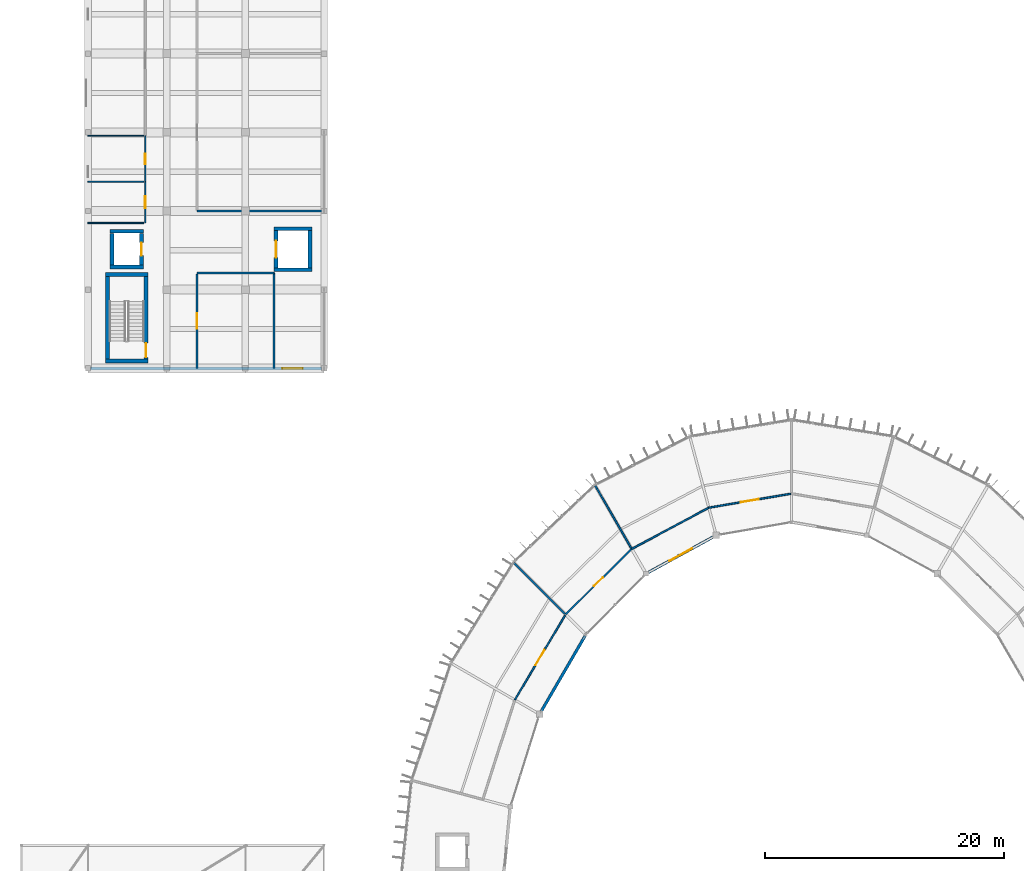
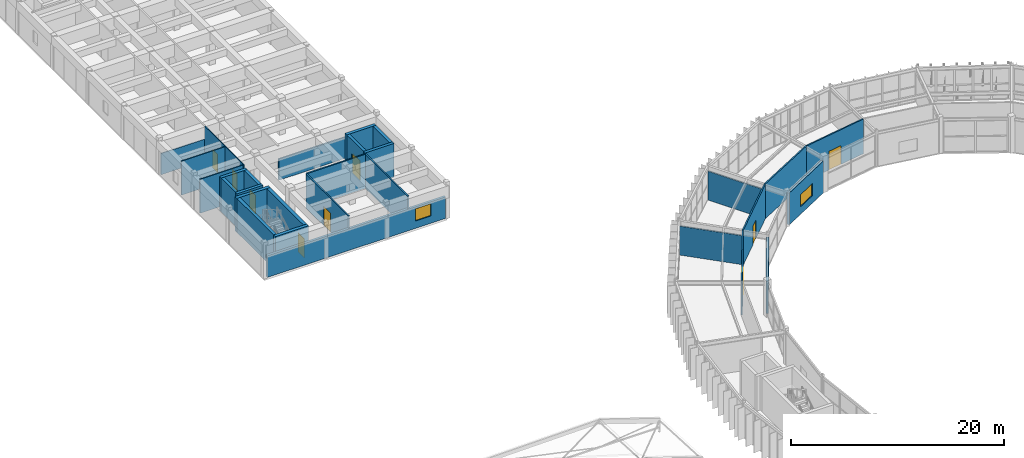
# One storey, part 119 of 134: 30 walls, 9 doors, 2 windows, 11 openings.
"""IFC4 building model written with IfcOpenShell, lengths in metres."""

from ifc_helpers import new_model, si_unit, direction, frame, frame_2d, origin, place, context, subcontext, project, spatial, rectangle, extrude, material, layer, layer_set, type_object, element, fill, save


model = new_model("IFC4")

# Units and contexts
model_context = context("Model", 3, precision=1e-05, world=origin(), true_north=direction((0.0, 1.0)))
body_context = subcontext(model_context, "Body", "Model", "MODEL_VIEW")
ifc_project = project(units=[si_unit("LENGTHUNIT", "METRE"), si_unit("AREAUNIT", "SQUARE_METRE"), si_unit("VOLUMEUNIT", "CUBIC_METRE"), si_unit("PLANEANGLEUNIT", "RADIAN"), si_unit("MASSUNIT", "GRAM", prefix="KILO")], contexts=[model_context])

# Site, building, storey
site_placement = place(None, origin())
site = spatial("IfcSite", under=ifc_project, at=site_placement, CompositionType="ELEMENT")
building_placement = place(site_placement, origin())
building = spatial("IfcBuilding", under=site, at=building_placement, Name="Karori Crest Natural Sciences Institute", CompositionType="ELEMENT")
storey_placement = place(building_placement, frame((0.0, 0.0, 21.699951171875)))
storey = spatial("IfcBuildingStorey", under=building, at=storey_placement, Name="L05", CompositionType="ELEMENT", Elevation=21.699951171875)

# Walls
ifc_material_1 = material(Name="Concrete 50 MPa", Category="concrete")
ifc_layer_1 = layer(ifc_material_1, 0.35009765625, Name="Concrete 50 MPa")
ifc_layer_set_1 = layer_set([ifc_layer_1], Name="Concrete 50 MPa")
wall_type_1 = type_object("IfcWallType", Name="IWT-02", PredefinedType="SHEAR", material=ifc_layer_set_1)
for number, where, z_axis, x_axis, name in (
    (1, (8.85009765625, 95.625, 0.0), (0.0, 0.0, 1.0), (1.0, 0.0, 0.0), "Shear wall IW-0189"),
    (2, (8.85009765625, 102.875, 0.0), (0.0, 0.0, 1.0), (1.0, 0.0, 0.0), "Shear wall IW-0190"),
):
    element("IfcWall", number, at=place(storey_placement, frame(where, z_axis=z_axis, x_axis=x_axis)), inside=storey, type_object=wall_type_1, Name=name, PredefinedType="SHEAR", context=body_context, shape_type="SweptSolid", body=[
        extrude(rectangle(XDim=3.599853515625, YDim=0.35009765625, at=frame_2d((1.7998046875, 0.0))), origin(), (0.0, 0.0, 1.0), 3.900146484375),
    ])
wall_1_placement = place(storey_placement, frame((9.02490234375, 95.802001953125, 0.0), z_axis=(0.0, 0.0, 1.0), x_axis=(0.0, 1.0, 0.0)))
element("IfcWall", 3, at=wall_1_placement, inside=storey, type_object=wall_type_1, Name="Shear wall IW-0191", PredefinedType="SHEAR", context=body_context, shape_type="SweptSolid", body=[
    extrude(rectangle(XDim=6.89599609375, YDim=0.35009765625, at=frame_2d((3.447998046875, 0.0))), origin(), (0.0, 0.0, 1.0), 3.900146484375),
])

# Wall, opening, door
wall_2_placement = place(storey_placement, frame((12.27490234375, 95.802001953125, 0.0), z_axis=(0.0, 0.0, 1.0), x_axis=(0.0, 1.0, 0.0)))
wall_2 = element("IfcWall", 4, at=wall_2_placement, inside=storey, type_object=wall_type_1, Name="Shear wall IW-0192", PredefinedType="SHEAR", context=body_context, shape_type="SweptSolid", body=[
    extrude(rectangle(XDim=6.89599609375, YDim=0.35009765625, at=frame_2d((3.447998046875, 0.0))), origin(), (0.0, 0.0, 1.0), 3.900146484375),
])
opening_1_placement = place(wall_2_placement, frame((0.1201171875, 0.0, 0.0)))
opening_1 = element("IfcOpeningElement", 5, at=opening_1_placement, cuts=wall_2, Name="Opening ID-0048", PredefinedType="OPENING", context=body_context, shape_type="SweptSolid", body=[
    extrude(rectangle(XDim=1.199951171875, YDim=2.14990234375, at=frame_2d((0.60009765625, 1.074951171875))), frame((0.0, 0.18505859375, 0.0), z_axis=(0.0, -1.0, 0.0), x_axis=(1.0, 0.0, 0.0)), (0.0, 0.0, 1.0), 0.3701171875),
])
ifc_material_2 = material(Name="Stainless steel 316 and fire-rated timber", Category="steel")
door_type_1 = type_object("IfcDoorType", Name="IDT-01", OperationType="NOTDEFINED", PredefinedType="DOOR", material=ifc_material_2)
door_1_placement = place(opening_1_placement, origin())
door_1 = element("IfcDoor", 6, at=door_1_placement, inside=storey, type_object=door_type_1, Name="Stair ST-05 fire door ID-0048", OperationType="SINGLE_SWING_RIGHT", OverallHeight=2.14990234375, OverallWidth=1.199951171875, PredefinedType="DOOR", context=body_context, shape_type="SweptSolid", body=[
    extrude(rectangle(XDim=1.199951171875, YDim=2.14990234375, at=frame_2d((0.60009765625, 1.074951171875))), frame((0.0, 0.02490234375, 0.0), z_axis=(0.0, -1.0, 0.0), x_axis=(1.0, 0.0, 0.0)), (0.0, 0.0, 1.0), 0.050048828125),
])
fill(opening_1, door_1)

# Walls
ifc_layer_2 = layer(ifc_material_1, 0.320068359375, Name="Concrete 50 MPa")
ifc_layer_set_2 = layer_set([ifc_layer_2], Name="Concrete 50 MPa")
wall_type_2 = type_object("IfcWallType", Name="IWT-03", PredefinedType="SHEAR", material=ifc_layer_set_2)
for number, where, z_axis, x_axis, name in (
    (7, (9.2451171875, 103.5048828125, 0.0), (0.0, 0.0, 1.0), (1.0, 0.0, 0.0), "Shear wall IW-0511"),
    (8, (9.2451171875, 106.4951171875, 0.0), (0.0, 0.0, 1.0), (1.0, 0.0, 0.0), "Shear wall IW-0512"),
):
    element("IfcWall", number, at=place(storey_placement, frame(where, z_axis=z_axis, x_axis=x_axis)), inside=storey, type_object=wall_type_2, Name=name, PredefinedType="SHEAR", context=body_context, shape_type="SweptSolid", body=[
        extrude(rectangle(XDim=2.809814453125, YDim=0.320068359375, at=frame_2d((1.40478515625, 0.0))), origin(), (0.0, 0.0, 1.0), 3.900146484375),
    ])
wall_3_placement = place(storey_placement, frame((9.405029296875, 103.6669921875, 0.0), z_axis=(0.0, 0.0, 1.0), x_axis=(0.0, 1.0, 0.0)))
element("IfcWall", 9, at=wall_3_placement, inside=storey, type_object=wall_type_2, Name="Shear wall IW-0513", PredefinedType="SHEAR", context=body_context, shape_type="SweptSolid", body=[
    extrude(rectangle(XDim=2.666015625, YDim=0.320068359375, at=frame_2d((1.3330078125, 0.0))), origin(), (0.0, 0.0, 1.0), 3.900146484375),
])

# Wall, opening, door
wall_4_placement = place(storey_placement, frame((11.89501953125, 103.6669921875, 0.0), z_axis=(0.0, 0.0, 1.0), x_axis=(0.0, 1.0, 0.0)))
wall_4 = element("IfcWall", 10, at=wall_4_placement, inside=storey, type_object=wall_type_2, Name="Shear wall IW-0514", PredefinedType="SHEAR", context=body_context, shape_type="SweptSolid", body=[
    extrude(rectangle(XDim=2.666015625, YDim=0.320068359375, at=frame_2d((1.3330078125, 0.0))), origin(), (0.0, 0.0, 1.0), 3.900146484375),
])
opening_2_placement = place(wall_4_placement, frame((0.782958984375, 0.0, 0.0)))
opening_2 = element("IfcOpeningElement", 11, at=opening_2_placement, cuts=wall_4, Name="Opening LD-0054", PredefinedType="OPENING", context=body_context, shape_type="SweptSolid", body=[
    extrude(rectangle(XDim=1.10009765625, YDim=2.14990234375, at=frame_2d((0.550048828125, 1.074951171875))), frame((0.0, 0.169921875, 0.0), z_axis=(0.0, -1.0, 0.0), x_axis=(1.0, 0.0, 0.0)), (0.0, 0.0, 1.0), 0.340087890625),
])
door_type_2 = type_object("IfcDoorType", Name="LDT-01", OperationType="SLIDING_TO_LEFT", PredefinedType="DOOR", material=ifc_material_2)
door_2_placement = place(opening_2_placement, origin())
door_2 = element("IfcDoor", 12, at=door_2_placement, inside=storey, type_object=door_type_2, Name="Lift LP-04 landing door LD-0054", OperationType="SLIDING_TO_LEFT", OverallHeight=2.14990234375, OverallWidth=1.10009765625, PredefinedType="DOOR", context=body_context, shape_type="SweptSolid", body=[
    extrude(rectangle(XDim=1.10009765625, YDim=2.14990234375, at=frame_2d((0.550048828125, 1.074951171875))), frame((0.0, 0.02490234375, 0.0), z_axis=(0.0, -1.0, 0.0), x_axis=(1.0, 0.0, 0.0)), (0.0, 0.0, 1.0), 0.050048828125),
])
fill(opening_2, door_2)

# Walls
for number, where, z_axis, x_axis, name in (
    (13, (23.02001953125, 103.280029296875, 0.0), (0.0, 0.0, 1.0), (1.0, 0.0, 0.0), "Shear wall IW-0543"),
    (14, (23.02001953125, 106.719970703125, 0.0), (0.0, 0.0, 1.0), (1.0, 0.0, 0.0), "Shear wall IW-0544"),
):
    element("IfcWall", number, at=place(storey_placement, frame(where, z_axis=z_axis, x_axis=x_axis)), inside=storey, type_object=wall_type_2, Name=name, PredefinedType="SHEAR", context=body_context, shape_type="SweptSolid", body=[
        extrude(rectangle(XDim=3.159912109375, YDim=0.320068359375, at=frame_2d((1.580078125, 0.0))), origin(), (0.0, 0.0, 1.0), 3.900146484375),
    ])

# Wall, opening, door
wall_5_placement = place(storey_placement, frame((23.179931640625, 103.44189453125, 0.0), z_axis=(0.0, 0.0, 1.0), x_axis=(0.0, 1.0, 0.0)))
wall_5 = element("IfcWall", 15, at=wall_5_placement, inside=storey, type_object=wall_type_2, Name="Shear wall IW-0545", PredefinedType="SHEAR", context=body_context, shape_type="SweptSolid", body=[
    extrude(rectangle(XDim=3.1162109375, YDim=0.320068359375, at=frame_2d((1.55810546875, 0.0))), origin(), (0.0, 0.0, 1.0), 3.900146484375),
])
opening_3_placement = place(wall_5_placement, frame((0.85791015625, 0.0, 0.0)))
opening_3 = element("IfcOpeningElement", 16, at=opening_3_placement, cuts=wall_5, Name="Opening LD-0062", PredefinedType="OPENING", context=body_context, shape_type="SweptSolid", body=[
    extrude(rectangle(XDim=1.39990234375, YDim=2.25, at=frame_2d((0.699951171875, 1.125))), frame((0.0, 0.169921875, 0.0), z_axis=(0.0, -1.0, 0.0), x_axis=(1.0, 0.0, 0.0)), (0.0, 0.0, 1.0), 0.340087890625),
])
door_type_3 = type_object("IfcDoorType", Name="LDT-03", OperationType="DOUBLE_DOOR_SLIDING", PredefinedType="DOOR", material=ifc_material_2)
door_3_placement = place(opening_3_placement, origin())
door_3 = element("IfcDoor", 17, at=door_3_placement, inside=storey, type_object=door_type_3, Name="Lift LG-01 landing door LD-0062", OperationType="DOUBLE_DOOR_SLIDING", OverallHeight=2.25, OverallWidth=1.39990234375, PredefinedType="DOOR", context=body_context, shape_type="SweptSolid", body=[
    extrude(rectangle(XDim=1.39990234375, YDim=2.25, at=frame_2d((0.699951171875, 1.125))), frame((0.0, 0.02490234375, 0.0), z_axis=(0.0, -1.0, 0.0), x_axis=(1.0, 0.0, 0.0)), (0.0, 0.0, 1.0), 0.050048828125),
])
fill(opening_3, door_3)

# Walls
wall_6_placement = place(storey_placement, frame((26.02001953125, 103.44189453125, 0.0), z_axis=(0.0, 0.0, 1.0), x_axis=(0.0, 1.0, 0.0)))
element("IfcWall", 18, at=wall_6_placement, inside=storey, type_object=wall_type_2, Name="Shear wall IW-0546", PredefinedType="SHEAR", context=body_context, shape_type="SweptSolid", body=[
    extrude(rectangle(XDim=3.1162109375, YDim=0.320068359375, at=frame_2d((1.55810546875, 0.0))), origin(), (0.0, 0.0, 1.0), 3.900146484375),
])
ifc_material_3 = material(Name="Clean-room insulated fire partition")
ifc_layer_3 = layer(ifc_material_3, 0.14990234375, Name="Clean-room insulated fire partition")
ifc_layer_set_3 = layer_set([ifc_layer_3], Name="Clean-room insulated fire partition")
wall_type_3 = type_object("IfcWallType", Name="IWT-06", PredefinedType="PARTITIONING", material=ifc_layer_set_3)
wall_7_placement = place(storey_placement, frame((16.550048828125, 103.0, 0.0), z_axis=(0.0, 0.0, 1.0), x_axis=(1.0, 0.0, 0.0)))
element("IfcWall", 19, at=wall_7_placement, inside=storey, type_object=wall_type_3, Name="Partition wall IW-1031", PredefinedType="PARTITIONING", context=body_context, shape_type="SweptSolid", body=[
    extrude(rectangle(XDim=6.449951171875, YDim=0.14990234375, at=frame_2d((3.22509765625, 0.0))), origin(), (0.0, 0.0, 1.0), 3.900146484375),
])

# Wall, opening, door
wall_8_placement = place(storey_placement, frame((16.550048828125, 95.0, 0.0), z_axis=(0.0, 0.0, 1.0), x_axis=(0.0, 1.0, 0.0)))
wall_8 = element("IfcWall", 20, at=wall_8_placement, inside=storey, type_object=wall_type_3, Name="Partition wall IW-1032", PredefinedType="PARTITIONING", context=body_context, shape_type="SweptSolid", body=[
    extrude(rectangle(XDim=7.923095703125, YDim=0.14990234375, at=frame_2d((3.96142578125, 0.0))), origin(), (0.0, 0.0, 1.0), 3.900146484375),
])
opening_4_placement = place(wall_8_placement, frame((3.3115234375, 0.0, 0.0)))
opening_4 = element("IfcOpeningElement", 21, at=opening_4_placement, cuts=wall_8, Name="Opening ID-0285", PredefinedType="OPENING", context=body_context, shape_type="SweptSolid", body=[
    extrude(rectangle(XDim=1.300048828125, YDim=2.199951171875, at=frame_2d((0.64990234375, 1.10009765625))), frame((0.0, 0.0849609375, 0.0), z_axis=(0.0, -1.0, 0.0), x_axis=(1.0, 0.0, 0.0)), (0.0, 0.0, 1.0), 0.169921875),
])
door_type_4 = type_object("IfcDoorType", Name="IDT-04", OperationType="NOTDEFINED", PredefinedType="DOOR", material=ifc_material_2)
door_4_placement = place(opening_4_placement, origin())
door_4 = element("IfcDoor", 22, at=door_4_placement, inside=storey, type_object=door_type_4, Name="ISO Class 5 Lithography Clean Room door ID-0285", OperationType="SINGLE_SWING_LEFT", OverallHeight=2.199951171875, OverallWidth=1.300048828125, PredefinedType="DOOR", context=body_context, shape_type="SweptSolid", body=[
    extrude(rectangle(XDim=1.300048828125, YDim=2.199951171875, at=frame_2d((0.64990234375, 1.10009765625))), frame((0.0, 0.02490234375, 0.0), z_axis=(0.0, -1.0, 0.0), x_axis=(1.0, 0.0, 0.0)), (0.0, 0.0, 1.0), 0.050048828125),
])
fill(opening_4, door_4)

# Walls
wall_9_placement = place(storey_placement, frame((23.0, 95.0, 0.0), z_axis=(0.0, 0.0, 1.0), x_axis=(0.0, 1.0, 0.0)))
element("IfcWall", 23, at=wall_9_placement, inside=storey, type_object=wall_type_3, Name="Partition wall IW-1033", PredefinedType="PARTITIONING", context=body_context, shape_type="SweptSolid", body=[
    extrude(rectangle(XDim=8.0, YDim=0.14990234375, at=frame_2d((4.0, 0.0))), origin(), (0.0, 0.0, 1.0), 3.900146484375),
])
wall_10_placement = place(storey_placement, frame((16.550048828125, 108.199951171875, 0.0), z_axis=(0.0, 0.0, 1.0), x_axis=(1.0, 0.0, 0.0)))
element("IfcWall", 24, at=wall_10_placement, inside=storey, type_object=wall_type_3, Name="Partition wall IW-1034", PredefinedType="PARTITIONING", context=body_context, shape_type="SweptSolid", body=[
    extrude(rectangle(XDim=10.64990234375, YDim=0.14990234375, at=frame_2d((5.324951171875, 0.0))), origin(), (0.0, 0.0, 1.0), 2.43505859375),
])

# Wall, opening, door
ifc_material_4 = material(Name="Laboratory acoustic drywall partition")
ifc_layer_4 = layer(ifc_material_4, 0.139892578125, Name="Laboratory acoustic drywall partition")
ifc_layer_set_4 = layer_set([ifc_layer_4], Name="Laboratory acoustic drywall partition")
wall_type_4 = type_object("IfcWallType", Name="IWT-07", PredefinedType="PARTITIONING", material=ifc_layer_set_4)
wall_11_placement = place(storey_placement, frame((66.327880859375, 84.48779296875, 0.0), z_axis=(0.0, 0.0, 1.0), x_axis=(-0.98586001765, -0.167570956905, 0.0)))
wall_11 = element("IfcWall", 25, at=wall_11_placement, inside=storey, type_object=wall_type_4, Name="Partition wall IW-1379", PredefinedType="PARTITIONING", context=body_context, shape_type="SweptSolid", body=[
    extrude(rectangle(XDim=6.962646484375, YDim=0.139892578125, at=frame_2d((3.4814453125, 0.0))), origin(), (0.0, 0.0, 1.0), 3.97998046875),
])
opening_5_placement = place(wall_11_placement, frame((2.7314453125, 0.0, 0.0)))
opening_5 = element("IfcOpeningElement", 26, at=opening_5_placement, cuts=wall_11, Name="Opening ID-0437", PredefinedType="OPENING", context=body_context, shape_type="SweptSolid", body=[
    extrude(rectangle(XDim=1.5, YDim=2.14990234375, at=frame_2d((0.75, 1.074951171875))), frame((0.0, 0.080078125, 0.0), z_axis=(0.0, -1.0, 0.0), x_axis=(1.0, 0.0, 0.0)), (0.0, 0.0, 1.0), 0.159912109375),
])
door_type_5 = type_object("IfcDoorType", Name="IDT-05", OperationType="DOUBLE_DOOR_SINGLE_SWING", PredefinedType="DOOR", material=ifc_material_2)
door_5_placement = place(opening_5_placement, origin())
door_5 = element("IfcDoor", 27, at=door_5_placement, inside=storey, type_object=door_type_5, Name="Wet Biology Laboratory door ID-0437", OperationType="DOUBLE_DOOR_SINGLE_SWING", OverallHeight=2.14990234375, OverallWidth=1.5, PredefinedType="DOOR", context=body_context, shape_type="SweptSolid", body=[
    extrude(rectangle(XDim=1.5, YDim=2.14990234375, at=frame_2d((0.75, 1.074951171875))), frame((0.0, 0.02490234375, 0.0), z_axis=(0.0, -1.0, 0.0), x_axis=(1.0, 0.0, 0.0)), (0.0, 0.0, 1.0), 0.050048828125),
])
fill(opening_5, door_5)

# Walls
wall_12_placement = place(storey_placement, frame((59.4619140625, 83.320068359375, 0.0), z_axis=(0.0, 0.0, 1.0), x_axis=(-0.881830395915, -0.471566700309, 0.0)))
element("IfcWall", 28, at=wall_12_placement, inside=storey, type_object=wall_type_4, Name="Partition wall IW-1380", PredefinedType="PARTITIONING", context=body_context, shape_type="SweptSolid", body=[
    extrude(rectangle(XDim=7.327880859375, YDim=0.139892578125, at=frame_2d((3.6640625, 0.0))), origin(), (0.0, 0.0, 1.0), 3.97998046875),
])
wall_13_placement = place(storey_placement, frame((52.9599609375, 79.933837890625, 0.0), z_axis=(0.0, 0.0, 1.0), x_axis=(-0.500008418462, 0.866020543329, 0.0)))
element("IfcWall", 29, at=wall_13_placement, inside=storey, type_object=wall_type_4, Name="Partition wall IW-1381", PredefinedType="PARTITIONING", context=body_context, shape_type="SweptSolid", body=[
    extrude(rectangle(XDim=6.06005859375, YDim=0.139892578125, at=frame_2d((3.030029296875, 0.0))), origin(), (0.0, 0.0, 1.0), 3.31298828125),
])

# Wall, opening, door
wall_14_placement = place(storey_placement, frame((52.99853515625, 79.863037109375, 0.0), z_axis=(0.0, 0.0, 1.0), x_axis=(-0.710427757183, -0.703770134222, 0.0)))
wall_14 = element("IfcWall", 30, at=wall_14_placement, inside=storey, type_object=wall_type_4, Name="Partition wall IW-1382", PredefinedType="PARTITIONING", context=body_context, shape_type="SweptSolid", body=[
    extrude(rectangle(XDim=7.810791015625, YDim=0.139892578125, at=frame_2d((3.9052734375, 0.0))), origin(), (0.0, 0.0, 1.0), 3.97998046875),
])
opening_6_placement = place(wall_14_placement, frame((3.380615234375, 0.0, 0.0)))
opening_6 = element("IfcOpeningElement", 31, at=opening_6_placement, cuts=wall_14, Name="Opening ID-0438", PredefinedType="OPENING", context=body_context, shape_type="SweptSolid", body=[
    extrude(rectangle(XDim=1.050048828125, YDim=2.14990234375, at=frame_2d((0.52490234375, 1.074951171875))), frame((0.0, 0.080078125, 0.0), z_axis=(0.0, -1.0, 0.0), x_axis=(1.0, 0.0, 0.0)), (0.0, 0.0, 1.0), 0.159912109375),
])
door_type_6 = type_object("IfcDoorType", Name="IDT-03", OperationType="NOTDEFINED", PredefinedType="DOOR", material=ifc_material_2)
door_6_placement = place(opening_6_placement, origin())
door_6 = element("IfcDoor", 32, at=door_6_placement, inside=storey, type_object=door_type_6, Name="Organic Biogeochemistry Laboratory door ID-0438", OperationType="SINGLE_SWING_RIGHT", OverallHeight=2.14990234375, OverallWidth=1.050048828125, PredefinedType="DOOR", context=body_context, shape_type="SweptSolid", body=[
    extrude(rectangle(XDim=1.050048828125, YDim=2.14990234375, at=frame_2d((0.52490234375, 1.074951171875))), frame((0.0, 0.02490234375, 0.0), z_axis=(0.0, -1.0, 0.0), x_axis=(1.0, 0.0, 0.0)), (0.0, 0.0, 1.0), 0.050048828125),
])
fill(opening_6, door_6)

# Wall
wall_15_placement = place(storey_placement, frame((47.392822265625, 74.422607421875, 0.0), z_axis=(0.0, 0.0, 1.0), x_axis=(-0.707106781187, 0.707106781187, 0.0)))
element("IfcWall", 33, at=wall_15_placement, inside=storey, type_object=wall_type_4, Name="Partition wall IW-1383", PredefinedType="PARTITIONING", context=body_context, shape_type="SweptSolid", body=[
    extrude(rectangle(XDim=6.059814453125, YDim=0.139892578125, at=frame_2d((3.02978515625, 0.0))), origin(), (0.0, 0.0, 1.0), 3.322998046875),
])

# Wall, opening, door
wall_16_placement = place(storey_placement, frame((47.41162109375, 74.302001953125, 0.0), z_axis=(0.0, 0.0, 1.0), x_axis=(-0.51092787214, -0.85962358592, 0.0)))
wall_16 = element("IfcWall", 34, at=wall_16_placement, inside=storey, type_object=wall_type_4, Name="Partition wall IW-1384", PredefinedType="PARTITIONING", context=body_context, shape_type="SweptSolid", body=[
    extrude(rectangle(XDim=8.26171875, YDim=0.139892578125, at=frame_2d((4.130859375, 0.0))), origin(), (0.0, 0.0, 1.0), 3.97998046875),
])
opening_7_placement = place(wall_16_placement, frame((3.380859375, 0.0, 0.0)))
opening_7 = element("IfcOpeningElement", 35, at=opening_7_placement, cuts=wall_16, Name="Opening ID-0439", PredefinedType="OPENING", context=body_context, shape_type="SweptSolid", body=[
    extrude(rectangle(XDim=1.5, YDim=2.14990234375, at=frame_2d((0.75, 1.074951171875))), frame((0.0, 0.080078125, 0.0), z_axis=(0.0, -1.0, 0.0), x_axis=(1.0, 0.0, 0.0)), (0.0, 0.0, 1.0), 0.159912109375),
])
door_7_placement = place(opening_7_placement, origin())
door_7 = element("IfcDoor", 36, at=door_7_placement, inside=storey, type_object=door_type_5, Name="Molecular Ecology Wet Laboratory door ID-0439", OperationType="DOUBLE_DOOR_SINGLE_SWING", OverallHeight=2.14990234375, OverallWidth=1.5, PredefinedType="DOOR", context=body_context, shape_type="SweptSolid", body=[
    extrude(rectangle(XDim=1.5, YDim=2.14990234375, at=frame_2d((0.75, 1.074951171875))), frame((0.0, 0.02490234375, 0.0), z_axis=(0.0, -1.0, 0.0), x_axis=(1.0, 0.0, 0.0)), (0.0, 0.0, 1.0), 0.050048828125),
])
fill(opening_7, door_7)

# Walls
ifc_material_5 = material(Name="Washroom moisture-resistant partition")
ifc_layer_5 = layer(ifc_material_5, 0.10009765625, Name="Washroom moisture-resistant partition")
ifc_layer_set_5 = layer_set([ifc_layer_5], Name="Washroom moisture-resistant partition")
wall_type_5 = type_object("IfcWallType", Name="IWT-09", PredefinedType="PARTITIONING", material=ifc_layer_set_5)
for number, where, z_axis, x_axis, name in (
    (37, (7.39990234375, 107.199951171875, 0.0), (0.0, 0.0, 1.0), (1.0, 0.0, 0.0), "Partition wall IW-1022"),
    (38, (7.39990234375, 110.64990234375, 0.0), (0.0, 0.0, 1.0), (1.0, 0.0, 0.0), "Partition wall IW-1023"),
):
    element("IfcWall", number, at=place(storey_placement, frame(where, z_axis=z_axis, x_axis=x_axis)), inside=storey, type_object=wall_type_5, Name=name, PredefinedType="PARTITIONING", context=body_context, shape_type="SweptSolid", body=[
        extrude(rectangle(XDim=4.697998046875, YDim=0.10009765625, at=frame_2d((2.34912109375, 0.0))), origin(), (0.0, 0.0, 1.0), 3.900146484375),
    ])

# Wall, opening, door
wall_17_placement = place(storey_placement, frame((12.199951171875, 107.199951171875, 0.0), z_axis=(0.0, 0.0, 1.0), x_axis=(0.0, 1.0, 0.0)))
wall_17 = element("IfcWall", 39, at=wall_17_placement, inside=storey, type_object=wall_type_5, Name="Partition wall IW-1024", PredefinedType="PARTITIONING", context=body_context, shape_type="SweptSolid", body=[
    extrude(rectangle(XDim=3.449951171875, YDim=0.10009765625, at=frame_2d((1.72509765625, 0.0))), origin(), (0.0, 0.0, 1.0), 3.900146484375),
])
opening_8_placement = place(wall_17_placement, frame((1.22509765625, 0.0, 0.0)))
opening_8 = element("IfcOpeningElement", 40, at=opening_8_placement, cuts=wall_17, Name="Opening ID-0281", PredefinedType="OPENING", context=body_context, shape_type="SweptSolid", body=[
    extrude(rectangle(XDim=1.0, YDim=2.10009765625, at=frame_2d((0.5, 1.050048828125))), frame((0.0, 0.06005859375, 0.0), z_axis=(0.0, -1.0, 0.0), x_axis=(1.0, 0.0, 0.0)), (0.0, 0.0, 1.0), 0.1201171875),
])
ifc_material_6 = material(Name="Anodised aluminium and acoustic timber", Category="wood")
door_type_7 = type_object("IfcDoorType", Name="IDT-09", OperationType="NOTDEFINED", PredefinedType="DOOR", material=ifc_material_6)
door_8_placement = place(opening_8_placement, origin())
door_8 = element("IfcDoor", 41, at=door_8_placement, inside=storey, type_object=door_type_7, Name="Accessible WC door ID-0281", OperationType="SINGLE_SWING_LEFT", OverallHeight=2.10009765625, OverallWidth=1.0, PredefinedType="DOOR", context=body_context, shape_type="SweptSolid", body=[
    extrude(rectangle(XDim=1.0, YDim=2.10009765625, at=frame_2d((0.5, 1.050048828125))), frame((0.0, 0.02490234375, 0.0), z_axis=(0.0, -1.0, 0.0), x_axis=(1.0, 0.0, 0.0)), (0.0, 0.0, 1.0), 0.050048828125),
])
fill(opening_8, door_8)

# Wall
wall_18_placement = place(storey_placement, frame((7.39990234375, 114.5, 0.0), z_axis=(0.0, 0.0, 1.0), x_axis=(1.0, 0.0, 0.0)))
element("IfcWall", 42, at=wall_18_placement, inside=storey, type_object=wall_type_5, Name="Partition wall IW-1025", PredefinedType="PARTITIONING", context=body_context, shape_type="SweptSolid", body=[
    extrude(rectangle(XDim=4.697998046875, YDim=0.10009765625, at=frame_2d((2.34912109375, 0.0))), origin(), (0.0, 0.0, 1.0), 2.43505859375),
])

# Wall, opening, door
wall_19_placement = place(storey_placement, frame((12.199951171875, 110.652099609375, 0.0), z_axis=(0.0, 0.0, 1.0), x_axis=(0.0, 1.0, 0.0)))
wall_19 = element("IfcWall", 43, at=wall_19_placement, inside=storey, type_object=wall_type_5, Name="Partition wall IW-1026", PredefinedType="PARTITIONING", context=body_context, shape_type="SweptSolid", body=[
    extrude(rectangle(XDim=3.847900390625, YDim=0.10009765625, at=frame_2d((1.923828125, 0.0))), origin(), (0.0, 0.0, 1.0), 3.900146484375),
])
opening_9_placement = place(wall_19_placement, frame((1.48388671875, 0.0, 0.0)))
opening_9 = element("IfcOpeningElement", 44, at=opening_9_placement, cuts=wall_19, Name="Opening ID-0282", PredefinedType="OPENING", context=body_context, shape_type="SweptSolid", body=[
    extrude(rectangle(XDim=0.8798828125, YDim=2.080078125, at=frame_2d((0.43994140625, 1.0400390625))), frame((0.0, 0.06005859375, 0.0), z_axis=(0.0, -1.0, 0.0), x_axis=(1.0, 0.0, 0.0)), (0.0, 0.0, 1.0), 0.1201171875),
])
door_type_8 = type_object("IfcDoorType", Name="IDT-10", OperationType="NOTDEFINED", PredefinedType="DOOR", material=ifc_material_6)
door_9_placement = place(opening_9_placement, origin())
door_9 = element("IfcDoor", 45, at=door_9_placement, inside=storey, type_object=door_type_8, Name="Unisex Washroom WC door ID-0282", OperationType="SINGLE_SWING_RIGHT", OverallHeight=2.080078125, OverallWidth=0.8798828125, PredefinedType="DOOR", context=body_context, shape_type="SweptSolid", body=[
    extrude(rectangle(XDim=0.8798828125, YDim=2.080078125, at=frame_2d((0.43994140625, 1.0400390625))), frame((0.0, 0.02490234375, 0.0), z_axis=(0.0, -1.0, 0.0), x_axis=(1.0, 0.0, 0.0)), (0.0, 0.0, 1.0), 0.050048828125),
])
fill(opening_9, door_9)

# Wall, opening, window
ifc_material_7 = material(Name="Precast concrete 40 MPa", Category="concrete")
ifc_layer_6 = layer(ifc_material_7, 0.260009765625, Name="Precast concrete 40 MPa")
ifc_layer_set_6 = layer_set([ifc_layer_6], Name="Precast concrete 40 MPa")
wall_type_6 = type_object("IfcWallType", Name="WT-03", PredefinedType="SOLIDWALL", material=ifc_layer_set_6)
wall_20_placement = place(storey_placement, frame((26.97705078125, 95.0, 0.0), z_axis=(0.0, 0.0, 1.0), x_axis=(-1.0, 0.0, 0.0)))
wall_20 = element("IfcWall", 46, at=wall_20_placement, inside=storey, type_object=wall_type_6, Name="Exterior wall EW-0180", PredefinedType="SOLIDWALL", context=body_context, shape_type="SweptSolid", body=[
    extrude(rectangle(XDim=19.35400390625, YDim=0.260009765625, at=frame_2d((9.677001953125, 0.0))), origin(), (0.0, 0.0, 1.0), 2.47998046875),
])
opening_10_placement = place(wall_20_placement, frame((1.576904296875, 0.0, 0.85009765625)))
opening_10 = element("IfcOpeningElement", 47, at=opening_10_placement, cuts=wall_20, Name="Opening WN-0125", PredefinedType="OPENING", context=body_context, shape_type="SweptSolid", body=[
    extrude(rectangle(XDim=1.699951171875, YDim=1.39990234375, at=frame_2d((0.85009765625, 0.699951171875))), frame((0.0, 0.14013671875, 0.0), z_axis=(0.0, -1.0, 0.0), x_axis=(1.0, 0.0, 0.0)), (0.0, 0.0, 1.0), 0.280029296875),
])
ifc_material_8 = material(Name="Double low-E laminated glass", Category="glass")
window_type_1 = type_object("IfcWindowType", Name="WNT-05", PartitioningType="SINGLE_PANEL", PredefinedType="WINDOW", material=ifc_material_8)
window_1_placement = place(opening_10_placement, origin())
window_1 = element("IfcWindow", 48, at=window_1_placement, inside=storey, type_object=window_type_1, Name="Window WN-0125", OverallHeight=1.39990234375, OverallWidth=1.699951171875, PartitioningType="SINGLE_PANEL", PredefinedType="WINDOW", context=body_context, shape_type="SweptSolid", body=[
    extrude(rectangle(XDim=1.699951171875, YDim=1.39990234375, at=frame_2d((0.85009765625, 0.699951171875))), frame((0.0, 0.030029296875, 0.0), z_axis=(0.0, -1.0, 0.0), x_axis=(1.0, 0.0, 0.0)), (0.0, 0.0, 1.0), 0.06005859375),
])
fill(opening_10, window_1)

ifc_layer_7 = layer(ifc_material_7, 0.239990234375, Name="Precast concrete 40 MPa")
ifc_layer_set_7 = layer_set([ifc_layer_7], Name="Precast concrete 40 MPa")
wall_type_7 = type_object("IfcWallType", Name="WT-04", PredefinedType="SOLIDWALL", material=ifc_layer_set_7)
wall_21_placement = place(storey_placement, frame((59.8115234375, 80.853515625, 0.0), z_axis=(0.0, 0.0, 1.0), x_axis=(-0.877452080284, -0.479664306369, 0.0)))
wall_21 = element("IfcWall", 49, at=wall_21_placement, inside=storey, type_object=wall_type_7, Name="Exterior wall EW-0091", PredefinedType="SOLIDWALL", context=body_context, shape_type="SweptSolid", body=[
    extrude(rectangle(XDim=6.16943359375, YDim=0.239990234375, at=frame_2d((3.084716796875, 0.0))), origin(), (0.0, 0.0, 1.0), 3.650146484375),
])
opening_11_placement = place(wall_21_placement, frame((2.009765625, 0.0, 0.85009765625)))
opening_11 = element("IfcOpeningElement", 50, at=opening_11_placement, cuts=wall_21, Name="Opening WN-0040", PredefinedType="OPENING", context=body_context, shape_type="SweptSolid", body=[
    extrude(rectangle(XDim=2.14990234375, YDim=1.39990234375, at=frame_2d((1.074951171875, 0.699951171875))), frame((0.0, 0.1298828125, 0.0), z_axis=(0.0, -1.0, 0.0), x_axis=(1.0, 0.0, 0.0)), (0.0, 0.0, 1.0), 0.260009765625),
])
window_type_2 = type_object("IfcWindowType", Name="WNT-08", PartitioningType="SINGLE_PANEL", PredefinedType="WINDOW", material=ifc_material_8)
window_2_placement = place(opening_11_placement, origin())
window_2 = element("IfcWindow", 51, at=window_2_placement, inside=storey, type_object=window_type_2, Name="Window WN-0040", OverallHeight=1.39990234375, OverallWidth=2.14990234375, PartitioningType="SINGLE_PANEL", PredefinedType="WINDOW", context=body_context, shape_type="SweptSolid", body=[
    extrude(rectangle(XDim=2.14990234375, YDim=1.39990234375, at=frame_2d((1.074951171875, 0.699951171875))), frame((0.0, 0.030029296875, 0.0), z_axis=(0.0, -1.0, 0.0), x_axis=(1.0, 0.0, 0.0)), (0.0, 0.0, 1.0), 0.06005859375),
])
fill(opening_11, window_2)

# Wall
wall_22_placement = place(storey_placement, frame((49.08642578125, 72.5654296875, 0.0), z_axis=(0.0, 0.0, 1.0), x_axis=(-0.502637947221, -0.864497017932, 0.0)))
element("IfcWall", 52, at=wall_22_placement, inside=storey, type_object=wall_type_7, Name="Exterior wall EW-0092", PredefinedType="SOLIDWALL", context=body_context, shape_type="SweptSolid", body=[
    extrude(rectangle(XDim=7.278564453125, YDim=0.239990234375, at=frame_2d((3.63916015625, 0.0))), origin(), (0.0, 0.0, 1.0), 3.650146484375),
])

save(model, "model.ifc")
